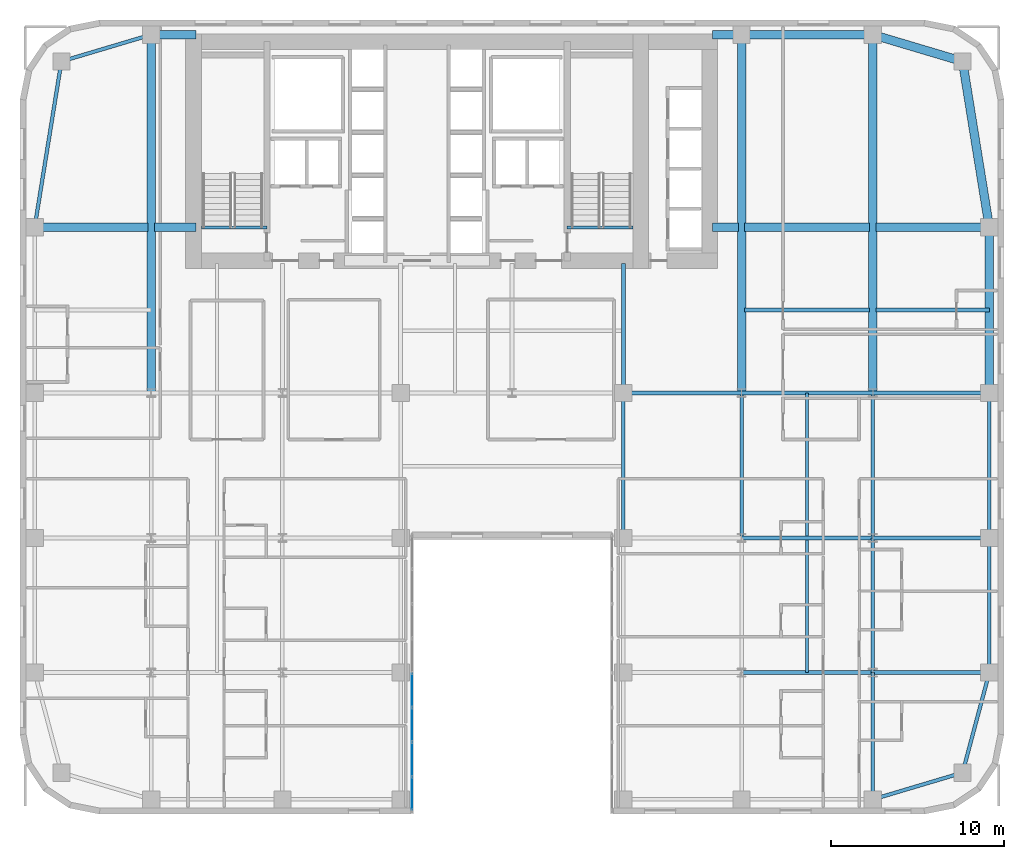
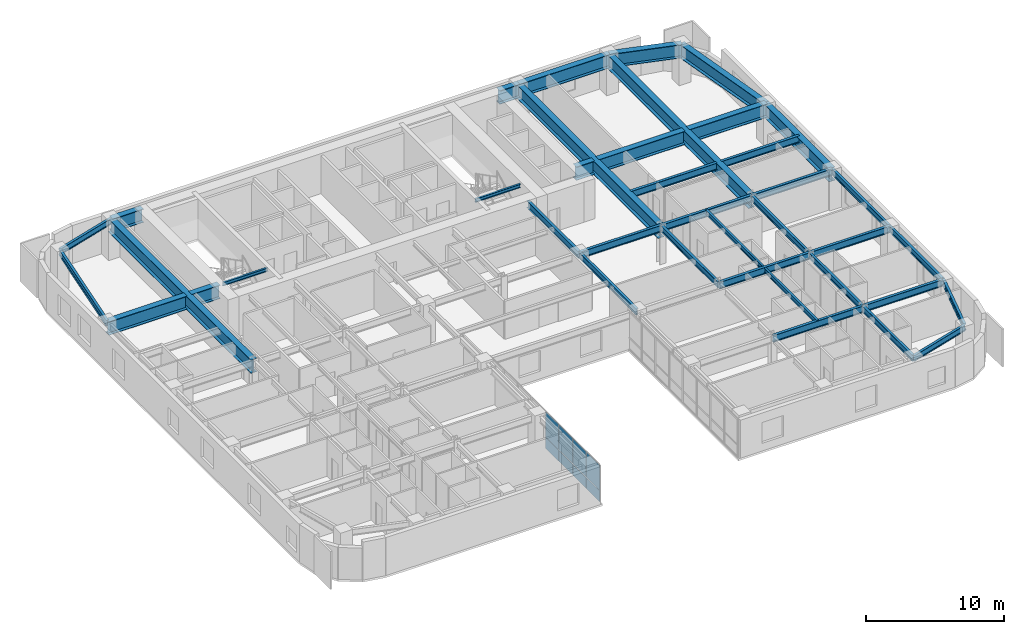
# One storey, part 8 of 17: 39 beams, 8 plates, 1 element without a shape of its own.
"""IFC4 building model written with IfcOpenShell, lengths in metres."""

from ifc_helpers import new_model, si_unit, direction, frame, origin, origin_2d, place, context, subcontext, project, spatial, rectangle, i_section, extrude, source, transform, mapped, material, layer, layer_set, material_profile, profile_set, type_object, type_shapes, element, aggregate, save


model = new_model("IFC4")

# Units and contexts
model_context = context("Model", 3, precision=1e-05, world=origin(), true_north=direction((0.0, 1.0)))
body_context = subcontext(model_context, "Body", "Model", "MODEL_VIEW")
ifc_project = project(units=[si_unit("LENGTHUNIT", "METRE"), si_unit("AREAUNIT", "SQUARE_METRE"), si_unit("VOLUMEUNIT", "CUBIC_METRE"), si_unit("PLANEANGLEUNIT", "RADIAN"), si_unit("MASSUNIT", "GRAM", prefix="KILO")], contexts=[model_context])

# Site, building, storey
site_placement = place(None, origin())
site = spatial("IfcSite", under=ifc_project, at=site_placement, CompositionType="ELEMENT")
building_placement = place(site_placement, origin())
building = spatial("IfcBuilding", under=site, at=building_placement, Name="Tolvann Quenvar Hotel", CompositionType="ELEMENT")
storey_placement = place(building_placement, frame((0.0, 0.0, 49.75)))
storey = spatial("IfcBuildingStorey", under=building, at=storey_placement, Name="L11", CompositionType="ELEMENT", Elevation=49.75)

# Beams
ifc_material_1 = material(Name="Steel Grade 350", Category="steel")
ifc_material_profile_1 = material_profile(ifc_material_1, i_section(OverallWidth=0.5, OverallDepth=1.199951171875, WebThickness=0.01611328125, FlangeThickness=0.0400390625, at=origin_2d()), Name="1200WB455")
ifc_profile_set_1 = profile_set([ifc_material_profile_1], Name="Steel Grade 350")
beam_type_1 = type_object("IfcBeamType", Name="BM_TG_1200WB455", PredefinedType="USERDEFINED", material=ifc_profile_set_1)
shared_shape_1 = source(origin(), body_context, "Body", "SweptSolid", [
    extrude(i_section(OverallWidth=0.5, OverallDepth=1.199951171875, WebThickness=0.01611328125, FlangeThickness=0.0400390625, at=origin_2d()), origin(), (0.0, 0.0, 1.0), 7.599853515625),
])
beam_1_placement = place(storey_placement, frame((49.39990234375, 45.14990234375, 2.77001953125), z_axis=(-1.0, 0.0, 0.0), x_axis=(0.0, -1.0, 0.0)))
element("IfcBeam", 1, at=beam_1_placement, inside=storey, type_object=beam_type_1, Name="BM-L11-FLK-E4", ObjectType="TRANSFER GIRDER", PredefinedType="USERDEFINED", context=body_context, shape_type="MappedRepresentation", body=[
    mapped(shared_shape_1, transform((0.0, 0.0, 0.0), x_axis=(1.0, 0.0, 0.0), y_axis=(0.0, 1.0, 0.0), z_axis=(0.0, 0.0, 1.0), scale=1.0)),
])
shared_shape_2 = source(origin(), body_context, "Body", "SweptSolid", [
    extrude(i_section(OverallWidth=0.5, OverallDepth=1.199951171875, WebThickness=0.01611328125, FlangeThickness=0.0400390625, at=origin_2d()), origin(), (0.0, 0.0, 1.0), 9.60009765625),
])
beam_2_placement = place(storey_placement, frame((56.14990234375, 24.39990234375, 2.77001953125), z_axis=(0.0, 1.0, 0.0), x_axis=(-1.0, 0.0, 0.0)))
element("IfcBeam", 2, at=beam_2_placement, inside=storey, type_object=beam_type_1, Name="BM-L11-FLK-E1", ObjectType="TRANSFER GIRDER", PredefinedType="USERDEFINED", context=body_context, shape_type="MappedRepresentation", body=[
    mapped(shared_shape_2, transform((0.0, 0.0, 0.0), x_axis=(1.0, 0.0, 0.0), y_axis=(0.0, 1.0, 0.0), z_axis=(0.0, 0.0, 1.0), scale=1.0)),
])
ifc_material_profile_2 = material_profile(ifc_material_1, i_section(OverallWidth=0.208984375, OverallDepth=0.528076171875, WebThickness=0.009521484375, FlangeThickness=0.01318359375, FilletRadius=0.013916015625, at=origin_2d()), Name="530UB82")
ifc_profile_set_2 = profile_set([ifc_material_profile_2], Name="Steel Grade 350")
beam_type_2 = type_object("IfcBeamType", Name="BM_SPAND_530UB82", PredefinedType="SPANDREL", material=ifc_profile_set_2)
shared_shape_3 = source(origin(), body_context, "Body", "SweptSolid", [
    extrude(i_section(OverallWidth=0.208984375, OverallDepth=0.528076171875, WebThickness=0.009521484375, FlangeThickness=0.01318359375, FilletRadius=0.013916015625, at=origin_2d()), origin(), (0.0, 0.0, 1.0), 5.42626953125),
])
for number, where, z_axis, x_axis, name in (
    (3, (49.39990234375, 0.85009765625, 3.10595703125), (0.958344815522, 0.285613750654, 0.0), (-0.285613750654, 0.958344815522, 0.0), "BM-L11-EW-2-I2-J2"),
    (4, (2.39990234375, 43.60009765625, 3.10595703125), (0.958344815522, 0.285613750654, 0.0), (-0.285613750654, 0.958344815522, 0.0), "BM-L11-FLK-W3"),
):
    element("IfcBeam", number, at=place(storey_placement, frame(where, z_axis=z_axis, x_axis=x_axis)), inside=storey, type_object=beam_type_2, Name=name, PredefinedType="SPANDREL", context=body_context, shape_type="MappedRepresentation", body=[
        mapped(shared_shape_3, transform((0.0, 0.0, 0.0), x_axis=(1.0, 0.0, 0.0), y_axis=(0.0, 1.0, 0.0), z_axis=(0.0, 0.0, 1.0), scale=1.0)),
    ])
ifc_material_profile_3 = material_profile(ifc_material_1, i_section(OverallWidth=0.22900390625, OverallDepth=0.612060546875, WebThickness=0.011962890625, FlangeThickness=0.01953125, FilletRadius=0.013916015625, at=origin_2d()), Name="610UB125")
ifc_profile_set_3 = profile_set([ifc_material_profile_3], Name="Steel Grade 350")
beam_type_3 = type_object("IfcBeamType", Name="BM_GIRD_610UB125", PredefinedType="BEAM", material=ifc_profile_set_3)
shared_shape_4 = source(origin(), body_context, "Body", "SweptSolid", [
    extrude(i_section(OverallWidth=0.22900390625, OverallDepth=0.612060546875, WebThickness=0.011962890625, FlangeThickness=0.01953125, FilletRadius=0.013916015625, at=origin_2d()), origin(), (0.0, 0.0, 1.0), 6.75),
])
for number, where, z_axis, x_axis, name in (
    (5, (49.39990234375, 8.199951171875, 3.06396484375), (1.0, 0.0, 0.0), (0.0, 1.0, 0.0), "BM-L11-EW-3-I3-J3"),
    (6, (49.39990234375, 16.0, 3.06396484375), (1.0, 0.0, 0.0), (0.0, 1.0, 0.0), "BM-L11-EW-4-I4-J4"),
    (7, (49.39990234375, 24.39990234375, 3.06396484375), (1.0, 0.0, 0.0), (0.0, 1.0, 0.0), "BM-L11-EW-5-I5-J5"),
):
    element("IfcBeam", number, at=place(storey_placement, frame(where, z_axis=z_axis, x_axis=x_axis)), inside=storey, type_object=beam_type_3, Name=name, PredefinedType="BEAM", context=body_context, shape_type="MappedRepresentation", body=[
        mapped(shared_shape_4, transform((0.0, 0.0, 0.0), x_axis=(1.0, 0.0, 0.0), y_axis=(0.0, 1.0, 0.0), z_axis=(0.0, 0.0, 1.0), scale=1.0)),
    ])
shared_shape_5 = source(origin(), body_context, "Body", "SweptSolid", [
    extrude(i_section(OverallWidth=0.22900390625, OverallDepth=0.612060546875, WebThickness=0.011962890625, FlangeThickness=0.01953125, FilletRadius=0.013916015625, at=origin_2d()), origin(), (0.0, 0.0, 1.0), 7.599853515625),
])
for number, where, z_axis, x_axis, name in (
    (8, (41.800048828125, 8.199951171875, 3.06396484375), (1.0, 0.0, 0.0), (0.0, 1.0, 0.0), "BM-L11-EW-3-H3-I3"),
    (9, (41.800048828125, 16.0, 3.06396484375), (1.0, 0.0, 0.0), (0.0, 1.0, 0.0), "BM-L11-EW-4-H4-I4"),
    (10, (41.800048828125, 24.39990234375, 3.06396484375), (1.0, 0.0, 0.0), (0.0, 1.0, 0.0), "BM-L11-EW-5-H5-I5"),
):
    element("IfcBeam", number, at=place(storey_placement, frame(where, z_axis=z_axis, x_axis=x_axis)), inside=storey, type_object=beam_type_3, Name=name, PredefinedType="BEAM", context=body_context, shape_type="MappedRepresentation", body=[
        mapped(shared_shape_5, transform((0.0, 0.0, 0.0), x_axis=(1.0, 0.0, 0.0), y_axis=(0.0, 1.0, 0.0), z_axis=(0.0, 0.0, 1.0), scale=1.0)),
    ])
shared_shape_6 = source(origin(), body_context, "Body", "SweptSolid", [
    extrude(i_section(OverallWidth=0.22900390625, OverallDepth=0.612060546875, WebThickness=0.011962890625, FlangeThickness=0.01953125, FilletRadius=0.013916015625, at=origin_2d()), origin(), (0.0, 0.0, 1.0), 6.85009765625),
])
beam_3_placement = place(storey_placement, frame((34.949951171875, 24.39990234375, 3.06396484375), z_axis=(1.0, 0.0, 0.0), x_axis=(0.0, 1.0, 0.0)))
element("IfcBeam", 11, at=beam_3_placement, inside=storey, type_object=beam_type_3, Name="BM-L11-EW-5-F5-H5", PredefinedType="BEAM", context=body_context, shape_type="MappedRepresentation", body=[
    mapped(shared_shape_6, transform((0.0, 0.0, 0.0), x_axis=(1.0, 0.0, 0.0), y_axis=(0.0, 1.0, 0.0), z_axis=(0.0, 0.0, 1.0), scale=1.0)),
])
shared_shape_7 = source(origin(), body_context, "Body", "SweptSolid", [
    extrude(i_section(OverallWidth=0.208984375, OverallDepth=0.528076171875, WebThickness=0.009521484375, FlangeThickness=0.01318359375, FilletRadius=0.013916015625, at=origin_2d()), origin(), (0.0, 0.0, 1.0), 6.00341796875),
])
beam_4_placement = place(storey_placement, frame((54.60009765625, 2.39990234375, 3.10595703125), z_axis=(0.258148586649, 0.966105225745, 0.0), x_axis=(-0.966105225745, 0.258148586649, 0.0)))
element("IfcBeam", 12, at=beam_4_placement, inside=storey, type_object=beam_type_2, Name="BM-L11-NS-J2-J3", PredefinedType="SPANDREL", context=body_context, shape_type="MappedRepresentation", body=[
    mapped(shared_shape_7, transform((0.0, 0.0, 0.0), x_axis=(1.0, 0.0, 0.0), y_axis=(0.0, 1.0, 0.0), z_axis=(0.0, 0.0, 1.0), scale=1.0)),
])
shared_shape_8 = source(origin(), body_context, "Body", "SweptSolid", [
    extrude(i_section(OverallWidth=0.208984375, OverallDepth=0.528076171875, WebThickness=0.009521484375, FlangeThickness=0.01318359375, FilletRadius=0.013916015625, at=origin_2d()), origin(), (0.0, 0.0, 1.0), 7.800048828125),
])
beam_5_placement = place(storey_placement, frame((56.14990234375, 8.199951171875, 3.10595703125), z_axis=(0.0, 1.0, 0.0), x_axis=(-1.0, 0.0, 0.0)))
element("IfcBeam", 13, at=beam_5_placement, inside=storey, type_object=beam_type_2, Name="BM-L11-NS-J3-J4", PredefinedType="SPANDREL", context=body_context, shape_type="MappedRepresentation", body=[
    mapped(shared_shape_8, transform((0.0, 0.0, 0.0), x_axis=(1.0, 0.0, 0.0), y_axis=(0.0, 1.0, 0.0), z_axis=(0.0, 0.0, 1.0), scale=1.0)),
])
shared_shape_9 = source(origin(), body_context, "Body", "SweptSolid", [
    extrude(i_section(OverallWidth=0.208984375, OverallDepth=0.528076171875, WebThickness=0.009521484375, FlangeThickness=0.01318359375, FilletRadius=0.013916015625, at=origin_2d()), origin(), (0.0, 0.0, 1.0), 8.39990234375),
])
beam_6_placement = place(storey_placement, frame((56.14990234375, 16.0, 3.10595703125), z_axis=(0.0, 1.0, 0.0), x_axis=(-1.0, 0.0, 0.0)))
element("IfcBeam", 14, at=beam_6_placement, inside=storey, type_object=beam_type_2, Name="BM-L11-NS-J4-J5", PredefinedType="SPANDREL", context=body_context, shape_type="MappedRepresentation", body=[
    mapped(shared_shape_9, transform((0.0, 0.0, 0.0), x_axis=(1.0, 0.0, 0.0), y_axis=(0.0, 1.0, 0.0), z_axis=(0.0, 0.0, 1.0), scale=1.0)),
])
ifc_material_profile_4 = material_profile(ifc_material_1, i_section(OverallWidth=0.208984375, OverallDepth=0.532958984375, WebThickness=0.01025390625, FlangeThickness=0.015625, FilletRadius=0.013916015625, at=origin_2d()), Name="530UB92")
ifc_profile_set_4 = profile_set([ifc_material_profile_4], Name="Steel Grade 350")
beam_type_4 = type_object("IfcBeamType", Name="BM_GIRD_530UB92", PredefinedType="BEAM", material=ifc_profile_set_4)
shared_shape_10 = source(origin(), body_context, "Body", "SweptSolid", [
    extrude(i_section(OverallWidth=0.208984375, OverallDepth=0.532958984375, WebThickness=0.01025390625, FlangeThickness=0.015625, FilletRadius=0.013916015625, at=origin_2d()), origin(), (0.0, 0.0, 1.0), 7.349853515625),
])
beam_7_placement = place(storey_placement, frame((49.39990234375, 0.85009765625, 3.103515625), z_axis=(0.0, 1.0, 0.0), x_axis=(-1.0, 0.0, 0.0)))
element("IfcBeam", 15, at=beam_7_placement, inside=storey, type_object=beam_type_4, Name="BM-L11-NS-I2-I3", PredefinedType="BEAM", context=body_context, shape_type="MappedRepresentation", body=[
    mapped(shared_shape_10, transform((0.0, 0.0, 0.0), x_axis=(1.0, 0.0, 0.0), y_axis=(0.0, 1.0, 0.0), z_axis=(0.0, 0.0, 1.0), scale=1.0)),
])
shared_shape_11 = source(origin(), body_context, "Body", "SweptSolid", [
    extrude(i_section(OverallWidth=0.208984375, OverallDepth=0.532958984375, WebThickness=0.01025390625, FlangeThickness=0.015625, FilletRadius=0.013916015625, at=origin_2d()), origin(), (0.0, 0.0, 1.0), 7.800048828125),
])
beam_8_placement = place(storey_placement, frame((49.39990234375, 8.199951171875, 3.103515625), z_axis=(0.0, 1.0, 0.0), x_axis=(-1.0, 0.0, 0.0)))
element("IfcBeam", 16, at=beam_8_placement, inside=storey, type_object=beam_type_4, Name="BM-L11-NS-I3-I4", PredefinedType="BEAM", context=body_context, shape_type="MappedRepresentation", body=[
    mapped(shared_shape_11, transform((0.0, 0.0, 0.0), x_axis=(1.0, 0.0, 0.0), y_axis=(0.0, 1.0, 0.0), z_axis=(0.0, 0.0, 1.0), scale=1.0)),
])
shared_shape_12 = source(origin(), body_context, "Body", "SweptSolid", [
    extrude(i_section(OverallWidth=0.208984375, OverallDepth=0.532958984375, WebThickness=0.01025390625, FlangeThickness=0.015625, FilletRadius=0.013916015625, at=origin_2d()), origin(), (0.0, 0.0, 1.0), 8.39990234375),
])
type_shapes(beam_type_4, [shared_shape_10, shared_shape_11, shared_shape_12])
for number, where, z_axis, x_axis, name in (
    (17, (34.949951171875, 16.0, 3.103515625), (0.0, 1.0, 0.0), (-1.0, 0.0, 0.0), "BM-L11-NS-F4-F5"),
    (18, (41.800048828125, 16.0, 3.103515625), (0.0, 1.0, 0.0), (-1.0, 0.0, 0.0), "BM-L11-NS-H4-H5"),
    (19, (49.39990234375, 16.0, 3.103515625), (0.0, 1.0, 0.0), (-1.0, 0.0, 0.0), "BM-L11-NS-I4-I5"),
):
    element("IfcBeam", number, at=place(storey_placement, frame(where, z_axis=z_axis, x_axis=x_axis)), inside=storey, type_object=beam_type_4, Name=name, PredefinedType="BEAM", context=body_context, shape_type="MappedRepresentation", body=[
        mapped(shared_shape_12, transform((0.0, 0.0, 0.0), x_axis=(1.0, 0.0, 0.0), y_axis=(0.0, 1.0, 0.0), z_axis=(0.0, 0.0, 1.0), scale=1.0)),
    ])
shared_shape_13 = source(origin(), body_context, "Body", "SweptSolid", [
    extrude(i_section(OverallWidth=0.22900390625, OverallDepth=0.612060546875, WebThickness=0.011962890625, FlangeThickness=0.01953125, FilletRadius=0.013916015625, at=origin_2d()), origin(), (0.0, 0.0, 1.0), 7.5),
])
beam_9_placement = place(storey_placement, frame((34.949951171875, 24.39990234375, 3.06396484375), z_axis=(0.0, 1.0, 0.0), x_axis=(-1.0, 0.0, 0.0)))
element("IfcBeam", 20, at=beam_9_placement, inside=storey, type_object=beam_type_3, Name="BM-L11-CORE-F5", PredefinedType="BEAM", context=body_context, shape_type="MappedRepresentation", body=[
    mapped(shared_shape_13, transform((0.0, 0.0, 0.0), x_axis=(1.0, 0.0, 0.0), y_axis=(0.0, 1.0, 0.0), z_axis=(0.0, 0.0, 1.0), scale=1.0)),
])
shared_shape_14 = source(origin(), body_context, "Body", "SweptSolid", [
    extrude(i_section(OverallWidth=0.208984375, OverallDepth=0.528076171875, WebThickness=0.009521484375, FlangeThickness=0.01318359375, FilletRadius=0.013916015625, at=origin_2d()), origin(), (0.0, 0.0, 1.0), 9.724365234375),
])
type_shapes(beam_type_2, [shared_shape_3, shared_shape_7, shared_shape_8, shared_shape_9, shared_shape_14])
beam_10_placement = place(storey_placement, frame((0.85009765625, 34.0, 3.10595703125), z_axis=(0.159372939192, 0.987218449105, 0.0), x_axis=(-0.987218449105, 0.159372939192, 0.0)))
element("IfcBeam", 21, at=beam_10_placement, inside=storey, type_object=beam_type_2, Name="BM-L11-FLK-W2", PredefinedType="SPANDREL", context=body_context, shape_type="MappedRepresentation", body=[
    mapped(shared_shape_14, transform((0.0, 0.0, 0.0), x_axis=(1.0, 0.0, 0.0), y_axis=(0.0, 1.0, 0.0), z_axis=(0.0, 0.0, 1.0), scale=1.0)),
])
shared_shape_15 = source(origin(), body_context, "Body", "SweptSolid", [
    extrude(i_section(OverallWidth=0.5, OverallDepth=1.199951171875, WebThickness=0.01611328125, FlangeThickness=0.0400390625, at=origin_2d()), origin(), (0.0, 0.0, 1.0), 20.75),
])
for number, where, z_axis, x_axis, name in (
    (22, (7.60009765625, 24.39990234375, 2.77001953125), (0.0, 1.0, 0.0), (-1.0, 0.0, 0.0), "BM-L11-FLK-WC"),
    (23, (41.800048828125, 24.39990234375, 2.77001953125), (0.0, 1.0, 0.0), (-1.0, 0.0, 0.0), "BM-L11-FLK-EH"),
    (24, (49.39990234375, 24.39990234375, 2.77001953125), (0.0, 1.0, 0.0), (-1.0, 0.0, 0.0), "BM-L11-FLK-EI"),
):
    element("IfcBeam", number, at=place(storey_placement, frame(where, z_axis=z_axis, x_axis=x_axis)), inside=storey, type_object=beam_type_1, Name=name, ObjectType="TRANSFER GIRDER", PredefinedType="USERDEFINED", context=body_context, shape_type="MappedRepresentation", body=[
        mapped(shared_shape_15, transform((0.0, 0.0, 0.0), x_axis=(1.0, 0.0, 0.0), y_axis=(0.0, 1.0, 0.0), z_axis=(0.0, 0.0, 1.0), scale=1.0)),
    ])
shared_shape_16 = source(origin(), body_context, "Body", "SweptSolid", [
    extrude(i_section(OverallWidth=0.5, OverallDepth=1.199951171875, WebThickness=0.01611328125, FlangeThickness=0.0400390625, at=origin_2d()), origin(), (0.0, 0.0, 1.0), 6.56982421875),
])
for number, where, z_axis, x_axis, name in (
    (25, (0.85009765625, 34.0, 2.77001953125), (1.0, 0.0, 0.0), (0.0, 1.0, 0.0), "BM-L11-CTW-MID1"),
    (26, (49.580078125, 34.0, 2.77001953125), (1.0, 0.0, 0.0), (0.0, 1.0, 0.0), "BM-L11-CTE-JD6C"),
):
    element("IfcBeam", number, at=place(storey_placement, frame(where, z_axis=z_axis, x_axis=x_axis)), inside=storey, type_object=beam_type_1, Name=name, ObjectType="TRANSFER GIRDER", PredefinedType="USERDEFINED", context=body_context, shape_type="MappedRepresentation", body=[
        mapped(shared_shape_16, transform((0.0, 0.0, 0.0), x_axis=(1.0, 0.0, 0.0), y_axis=(0.0, 1.0, 0.0), z_axis=(0.0, 0.0, 1.0), scale=1.0)),
    ])
shared_shape_17 = source(origin(), body_context, "Body", "SweptSolid", [
    extrude(i_section(OverallWidth=0.5, OverallDepth=1.199951171875, WebThickness=0.01611328125, FlangeThickness=0.0400390625, at=origin_2d()), origin(), (0.0, 0.0, 1.0), 2.419921875),
])
beam_11_placement = place(storey_placement, frame((7.780029296875, 34.0, 2.77001953125), z_axis=(1.0, 0.0, 0.0), x_axis=(0.0, 1.0, 0.0)))
element("IfcBeam", 27, at=beam_11_placement, inside=storey, type_object=beam_type_1, Name="BM-L11-CTW-MID2", ObjectType="TRANSFER GIRDER", PredefinedType="USERDEFINED", context=body_context, shape_type="MappedRepresentation", body=[
    mapped(shared_shape_17, transform((0.0, 0.0, 0.0), x_axis=(1.0, 0.0, 0.0), y_axis=(0.0, 1.0, 0.0), z_axis=(0.0, 0.0, 1.0), scale=1.0)),
])
shared_shape_18 = source(origin(), body_context, "Body", "SweptSolid", [
    extrude(i_section(OverallWidth=0.5, OverallDepth=1.199951171875, WebThickness=0.01611328125, FlangeThickness=0.0400390625, at=origin_2d()), origin(), (0.0, 0.0, 1.0), 2.599853515625),
])
beam_12_placement = place(storey_placement, frame((7.60009765625, 45.14990234375, 2.77001953125), z_axis=(1.0, 0.0, 0.0), x_axis=(0.0, 1.0, 0.0)))
element("IfcBeam", 28, at=beam_12_placement, inside=storey, type_object=beam_type_1, Name="BM-L11-CTW-CN", ObjectType="TRANSFER GIRDER", PredefinedType="USERDEFINED", context=body_context, shape_type="MappedRepresentation", body=[
    mapped(shared_shape_18, transform((0.0, 0.0, 0.0), x_axis=(1.0, 0.0, 0.0), y_axis=(0.0, 1.0, 0.0), z_axis=(0.0, 0.0, 1.0), scale=1.0)),
])
shared_shape_19 = source(origin(), body_context, "Body", "SweptSolid", [
    extrude(i_section(OverallWidth=0.5, OverallDepth=1.199951171875, WebThickness=0.01611328125, FlangeThickness=0.0400390625, at=origin_2d()), origin(), (0.0, 0.0, 1.0), 9.724365234375),
])
beam_13_placement = place(storey_placement, frame((56.14990234375, 34.0, 2.77001953125), z_axis=(-0.159372939192, 0.987218449105, 0.0), x_axis=(-0.987218449105, -0.159372939192, 0.0)))
element("IfcBeam", 29, at=beam_13_placement, inside=storey, type_object=beam_type_1, Name="BM-L11-FLK-E2", ObjectType="TRANSFER GIRDER", PredefinedType="USERDEFINED", context=body_context, shape_type="MappedRepresentation", body=[
    mapped(shared_shape_19, transform((0.0, 0.0, 0.0), x_axis=(1.0, 0.0, 0.0), y_axis=(0.0, 1.0, 0.0), z_axis=(0.0, 0.0, 1.0), scale=1.0)),
])
shared_shape_20 = source(origin(), body_context, "Body", "SweptSolid", [
    extrude(i_section(OverallWidth=0.5, OverallDepth=1.199951171875, WebThickness=0.01611328125, FlangeThickness=0.0400390625, at=origin_2d()), origin(), (0.0, 0.0, 1.0), 5.42626953125),
])
beam_14_placement = place(storey_placement, frame((54.60009765625, 43.60009765625, 2.77001953125), z_axis=(-0.958344815522, 0.285613750654, 0.0), x_axis=(-0.285613750654, -0.958344815522, 0.0)))
element("IfcBeam", 30, at=beam_14_placement, inside=storey, type_object=beam_type_1, Name="BM-L11-FLK-E3", ObjectType="TRANSFER GIRDER", PredefinedType="USERDEFINED", context=body_context, shape_type="MappedRepresentation", body=[
    mapped(shared_shape_20, transform((0.0, 0.0, 0.0), x_axis=(1.0, 0.0, 0.0), y_axis=(0.0, 1.0, 0.0), z_axis=(0.0, 0.0, 1.0), scale=1.0)),
])
shared_shape_21 = source(origin(), body_context, "Body", "SweptSolid", [
    extrude(i_section(OverallWidth=0.5, OverallDepth=1.199951171875, WebThickness=0.01611328125, FlangeThickness=0.0400390625, at=origin_2d()), origin(), (0.0, 0.0, 1.0), 1.699951171875),
])
beam_15_placement = place(storey_placement, frame((40.10009765625, 45.14990234375, 2.77001953125), z_axis=(1.0, 0.0, 0.0), x_axis=(0.0, 1.0, 0.0)))
element("IfcBeam", 31, at=beam_15_placement, inside=storey, type_object=beam_type_1, Name="BM-L11-CTE-HN", ObjectType="TRANSFER GIRDER", PredefinedType="USERDEFINED", context=body_context, shape_type="MappedRepresentation", body=[
    mapped(shared_shape_21, transform((0.0, 0.0, 0.0), x_axis=(1.0, 0.0, 0.0), y_axis=(0.0, 1.0, 0.0), z_axis=(0.0, 0.0, 1.0), scale=1.0)),
])
shared_shape_22 = source(origin(), body_context, "Body", "SweptSolid", [
    extrude(i_section(OverallWidth=0.5, OverallDepth=1.199951171875, WebThickness=0.01611328125, FlangeThickness=0.0400390625, at=origin_2d()), origin(), (0.0, 0.0, 1.0), 1.52001953125),
])
beam_16_placement = place(storey_placement, frame((40.10009765625, 34.0, 2.77001953125), z_axis=(1.0, 0.0, 0.0), x_axis=(0.0, 1.0, 0.0)))
element("IfcBeam", 32, at=beam_16_placement, inside=storey, type_object=beam_type_1, Name="BM-L11-CTE-JD6A", ObjectType="TRANSFER GIRDER", PredefinedType="USERDEFINED", context=body_context, shape_type="MappedRepresentation", body=[
    mapped(shared_shape_22, transform((0.0, 0.0, 0.0), x_axis=(1.0, 0.0, 0.0), y_axis=(0.0, 1.0, 0.0), z_axis=(0.0, 0.0, 1.0), scale=1.0)),
])
shared_shape_23 = source(origin(), body_context, "Body", "SweptSolid", [
    extrude(i_section(OverallWidth=0.5, OverallDepth=1.199951171875, WebThickness=0.01611328125, FlangeThickness=0.0400390625, at=origin_2d()), origin(), (0.0, 0.0, 1.0), 7.239990234375),
])
type_shapes(beam_type_1, [shared_shape_1, shared_shape_2, shared_shape_15, shared_shape_16, shared_shape_17, shared_shape_18, shared_shape_19, shared_shape_20, shared_shape_21, shared_shape_22, shared_shape_23])
beam_17_placement = place(storey_placement, frame((41.97998046875, 34.0, 2.77001953125), z_axis=(1.0, 0.0, 0.0), x_axis=(0.0, 1.0, 0.0)))
element("IfcBeam", 33, at=beam_17_placement, inside=storey, type_object=beam_type_1, Name="BM-L11-CTE-JD6B", ObjectType="TRANSFER GIRDER", PredefinedType="USERDEFINED", context=body_context, shape_type="MappedRepresentation", body=[
    mapped(shared_shape_23, transform((0.0, 0.0, 0.0), x_axis=(1.0, 0.0, 0.0), y_axis=(0.0, 1.0, 0.0), z_axis=(0.0, 0.0, 1.0), scale=1.0)),
])
shared_shape_24 = source(origin(), body_context, "Body", "SweptSolid", [
    extrude(i_section(OverallWidth=0.22900390625, OverallDepth=0.612060546875, WebThickness=0.011962890625, FlangeThickness=0.01953125, FilletRadius=0.013916015625, at=origin_2d()), origin(), (0.0, 0.0, 1.0), 7.239990234375),
])
beam_18_placement = place(storey_placement, frame((41.97998046875, 29.199951171875, 3.06396484375), z_axis=(1.0, 0.0, 0.0), x_axis=(0.0, 1.0, 0.0)))
element("IfcBeam", 34, at=beam_18_placement, inside=storey, type_object=beam_type_3, Name="BM-L11-EW-HI29", PredefinedType="BEAM", context=body_context, shape_type="MappedRepresentation", body=[
    mapped(shared_shape_24, transform((0.0, 0.0, 0.0), x_axis=(1.0, 0.0, 0.0), y_axis=(0.0, 1.0, 0.0), z_axis=(0.0, 0.0, 1.0), scale=1.0)),
])
shared_shape_25 = source(origin(), body_context, "Body", "SweptSolid", [
    extrude(i_section(OverallWidth=0.22900390625, OverallDepth=0.612060546875, WebThickness=0.011962890625, FlangeThickness=0.01953125, FilletRadius=0.013916015625, at=origin_2d()), origin(), (0.0, 0.0, 1.0), 6.56982421875),
])
type_shapes(beam_type_3, [shared_shape_4, shared_shape_5, shared_shape_6, shared_shape_13, shared_shape_24, shared_shape_25])
beam_19_placement = place(storey_placement, frame((49.580078125, 29.199951171875, 3.06396484375), z_axis=(1.0, 0.0, 0.0), x_axis=(0.0, 1.0, 0.0)))
element("IfcBeam", 35, at=beam_19_placement, inside=storey, type_object=beam_type_3, Name="BM-L11-EW-IJ29", PredefinedType="BEAM", context=body_context, shape_type="MappedRepresentation", body=[
    mapped(shared_shape_25, transform((0.0, 0.0, 0.0), x_axis=(1.0, 0.0, 0.0), y_axis=(0.0, 1.0, 0.0), z_axis=(0.0, 0.0, 1.0), scale=1.0)),
])
ifc_material_profile_5 = material_profile(ifc_material_1, i_section(OverallWidth=0.177978515625, OverallDepth=0.406005859375, WebThickness=0.0078125, FlangeThickness=0.0126953125, FilletRadius=0.011474609375, at=origin_2d()), Name="410UB60")
ifc_profile_set_5 = profile_set([ifc_material_profile_5], Name="Steel Grade 350")
beam_type_5 = type_object("IfcBeamType", Name="BM_JOIST_410UB60", PredefinedType="JOIST", material=ifc_profile_set_5)
shared_shape_26 = source(origin(), body_context, "Body", "SweptSolid", [
    extrude(i_section(OverallWidth=0.177978515625, OverallDepth=0.406005859375, WebThickness=0.0078125, FlangeThickness=0.0126953125, FilletRadius=0.011474609375, at=origin_2d()), origin(), (0.0, 0.0, 1.0), 7.691650390625),
])
beam_20_placement = place(storey_placement, frame((45.60009765625, 8.199951171875, 3.1669921875), z_axis=(0.0, 1.0, 0.0), x_axis=(-1.0, 0.0, 0.0)))
element("IfcBeam", 36, at=beam_20_placement, inside=storey, type_object=beam_type_5, Name="BJ-L11-456-82", PredefinedType="JOIST", context=body_context, shape_type="MappedRepresentation", body=[
    mapped(shared_shape_26, transform((0.0, 0.0, 0.0), x_axis=(1.0, 0.0, 0.0), y_axis=(0.0, 1.0, 0.0), z_axis=(0.0, 0.0, 1.0), scale=1.0)),
])
shared_shape_27 = source(origin(), body_context, "Body", "SweptSolid", [
    extrude(i_section(OverallWidth=0.177978515625, OverallDepth=0.406005859375, WebThickness=0.0078125, FlangeThickness=0.0126953125, FilletRadius=0.011474609375, at=origin_2d()), origin(), (0.0, 0.0, 1.0), 8.29150390625),
])
type_shapes(beam_type_5, [shared_shape_26, shared_shape_27])
beam_21_placement = place(storey_placement, frame((45.60009765625, 16.1083984375, 3.1669921875), z_axis=(0.0, 1.0, 0.0), x_axis=(-1.0, 0.0, 0.0)))
element("IfcBeam", 37, at=beam_21_placement, inside=storey, type_object=beam_type_5, Name="BJ-L11-456-160", PredefinedType="JOIST", context=body_context, shape_type="MappedRepresentation", body=[
    mapped(shared_shape_27, transform((0.0, 0.0, 0.0), x_axis=(1.0, 0.0, 0.0), y_axis=(0.0, 1.0, 0.0), z_axis=(0.0, 0.0, 1.0), scale=1.0)),
])
ifc_material_profile_6 = material_profile(ifc_material_1, i_section(OverallWidth=0.166015625, OverallDepth=0.306884765625, WebThickness=0.006591796875, FlangeThickness=0.01171875, FilletRadius=0.011474609375, at=origin_2d()), Name="310UB46")
ifc_profile_set_6 = profile_set([ifc_material_profile_6], Name="Steel Grade 350")
beam_type_6 = type_object("IfcBeamType", Name="BM_JOIST_310UB46", PredefinedType="JOIST", material=ifc_profile_set_6)
shared_shape_28 = source(origin(), body_context, "Body", "SweptSolid", [
    extrude(i_section(OverallWidth=0.166015625, OverallDepth=0.306884765625, WebThickness=0.006591796875, FlangeThickness=0.01171875, FilletRadius=0.011474609375, at=origin_2d()), origin(), (0.0, 0.0, 1.0), 3.800048828125),
])
type_shapes(beam_type_6, [shared_shape_28])
for number, where, z_axis, x_axis, name in (
    (38, (10.5, 33.97998046875, 3.216552734375), (1.0, 0.0, 0.0), (0.0, 1.0, 0.0), "BM-HDR-STC1-L12"),
    (39, (31.699951171875, 33.97998046875, 3.216552734375), (1.0, 0.0, 0.0), (0.0, 1.0, 0.0), "BM-HDR-STC2-L12"),
):
    element("IfcBeam", number, at=place(storey_placement, frame(where, z_axis=z_axis, x_axis=x_axis)), inside=storey, type_object=beam_type_6, Name=name, PredefinedType="JOIST", context=body_context, shape_type="MappedRepresentation", body=[
        mapped(shared_shape_28, transform((0.0, 0.0, 0.0), x_axis=(1.0, 0.0, 0.0), y_axis=(0.0, 1.0, 0.0), z_axis=(0.0, 0.0, 1.0), scale=1.0)),
    ])

# Curtain wall, plates
ifc_material_2 = material(Name="Thermally broken anodised architectural aluminium 6063-T6 and laminated low-E glass", Category="aluminium")
ifc_layer_1 = layer(ifc_material_2, 0.179931640625)
ifc_layer_set_1 = layer_set([ifc_layer_1], Name="Thermally broken anodised architectural aluminium 6063-T6 and laminated low-E glass")
curtain_wall_type = type_object("IfcCurtainWallType", Name="CW_SYS_SLOT_03", PredefinedType="USERDEFINED", material=ifc_layer_set_1)
curtain_wall_placement = place(storey_placement, origin())
curtain_wall = element("IfcCurtainWall", 40, at=curtain_wall_placement, inside=storey, type_object=curtain_wall_type, Name="Curtain Wall CW-SLOT-03 (CWR-L11-E05)", ObjectType="UNITISED CURTAIN WALL", PredefinedType="USERDEFINED")
ifc_material_3 = material(Name="Low-iron laminated double glazing with solar-control coating", Category="glass")
ifc_layer_2 = layer(ifc_material_3, 0.028076171875)
ifc_layer_set_2 = layer_set([ifc_layer_2], Name="Low-iron laminated double glazing with solar-control coating")
plate_type = type_object("IfcPlateType", Name="CW_PAN_VISION_28", PredefinedType="CURTAIN_PANEL", material=ifc_layer_set_2)
shared_shape_29 = source(origin(), body_context, "Body", "SweptSolid", [
    extrude(rectangle(XDim=1.89501953125, YDim=0.028076171875, at=origin_2d()), origin(), (0.0, 0.0, 1.0), 0.9599609375),
])
plate_1_placement = place(storey_placement, frame((22.7099609375, 1.1923828125, 0.06005859375), z_axis=(0.0, 0.0, 1.0), x_axis=(0.0, 1.0, 0.0)))
plate_1 = element("IfcPlate", 41, at=plate_1_placement, type_object=plate_type, Name="CW-SLOT-03 panel 1.1", PredefinedType="CURTAIN_PANEL", context=body_context, shape_type="MappedRepresentation", body=[
    mapped(shared_shape_29, transform((0.0, 0.0, 0.0), x_axis=(1.0, 0.0, 0.0), y_axis=(0.0, 1.0, 0.0), z_axis=(0.0, 0.0, 1.0), scale=1.0)),
])
shared_shape_30 = source(origin(), body_context, "Body", "SweptSolid", [
    extrude(rectangle(XDim=1.89501953125, YDim=0.028076171875, at=origin_2d()), origin(), (0.0, 0.0, 1.0), 2.22998046875),
])
plate_2_placement = place(storey_placement, frame((22.7099609375, 1.1923828125, 1.080078125), z_axis=(0.0, 0.0, 1.0), x_axis=(0.0, 1.0, 0.0)))
plate_2 = element("IfcPlate", 42, at=plate_2_placement, type_object=plate_type, Name="CW-SLOT-03 panel 1.2", PredefinedType="CURTAIN_PANEL", context=body_context, shape_type="MappedRepresentation", body=[
    mapped(shared_shape_30, transform((0.0, 0.0, 0.0), x_axis=(1.0, 0.0, 0.0), y_axis=(0.0, 1.0, 0.0), z_axis=(0.0, 0.0, 1.0), scale=1.0)),
])
shared_shape_31 = source(origin(), body_context, "Body", "SweptSolid", [
    extrude(rectangle(XDim=1.929931640625, YDim=0.028076171875, at=origin_2d()), origin(), (0.0, 0.0, 1.0), 0.9599609375),
])
plate_3_placement = place(storey_placement, frame((22.7099609375, 3.175048828125, 0.06005859375), z_axis=(0.0, 0.0, 1.0), x_axis=(0.0, 1.0, 0.0)))
plate_3 = element("IfcPlate", 43, at=plate_3_placement, type_object=plate_type, Name="CW-SLOT-03 panel 2.1", PredefinedType="CURTAIN_PANEL", context=body_context, shape_type="MappedRepresentation", body=[
    mapped(shared_shape_31, transform((0.0, 0.0, 0.0), x_axis=(1.0, 0.0, 0.0), y_axis=(0.0, 1.0, 0.0), z_axis=(0.0, 0.0, 1.0), scale=1.0)),
])
plate_4_placement = place(storey_placement, frame((22.7099609375, 5.175048828125, 0.06005859375), z_axis=(0.0, 0.0, 1.0), x_axis=(0.0, 1.0, 0.0)))
plate_4 = element("IfcPlate", 44, at=plate_4_placement, type_object=plate_type, Name="CW-SLOT-03 panel 3.1", PredefinedType="CURTAIN_PANEL", context=body_context, shape_type="MappedRepresentation", body=[
    mapped(shared_shape_31, transform((0.0, 0.0, 0.0), x_axis=(1.0, 0.0, 0.0), y_axis=(0.0, 1.0, 0.0), z_axis=(0.0, 0.0, 1.0), scale=1.0)),
])
plate_5_placement = place(storey_placement, frame((22.7099609375, 7.175048828125, 0.06005859375), z_axis=(0.0, 0.0, 1.0), x_axis=(0.0, 1.0, 0.0)))
plate_5 = element("IfcPlate", 45, at=plate_5_placement, type_object=plate_type, Name="CW-SLOT-03 panel 4.1", PredefinedType="CURTAIN_PANEL", context=body_context, shape_type="MappedRepresentation", body=[
    mapped(shared_shape_31, transform((0.0, 0.0, 0.0), x_axis=(1.0, 0.0, 0.0), y_axis=(0.0, 1.0, 0.0), z_axis=(0.0, 0.0, 1.0), scale=1.0)),
])
shared_shape_32 = source(origin(), body_context, "Body", "SweptSolid", [
    extrude(rectangle(XDim=1.929931640625, YDim=0.028076171875, at=origin_2d()), origin(), (0.0, 0.0, 1.0), 2.22998046875),
])
type_shapes(plate_type, [shared_shape_29, shared_shape_30, shared_shape_31, shared_shape_32])
plate_6_placement = place(storey_placement, frame((22.7099609375, 3.175048828125, 1.080078125), z_axis=(0.0, 0.0, 1.0), x_axis=(0.0, 1.0, 0.0)))
plate_6 = element("IfcPlate", 46, at=plate_6_placement, type_object=plate_type, Name="CW-SLOT-03 panel 2.2", PredefinedType="CURTAIN_PANEL", context=body_context, shape_type="MappedRepresentation", body=[
    mapped(shared_shape_32, transform((0.0, 0.0, 0.0), x_axis=(1.0, 0.0, 0.0), y_axis=(0.0, 1.0, 0.0), z_axis=(0.0, 0.0, 1.0), scale=1.0)),
])
plate_7_placement = place(storey_placement, frame((22.7099609375, 5.175048828125, 1.080078125), z_axis=(0.0, 0.0, 1.0), x_axis=(0.0, 1.0, 0.0)))
plate_7 = element("IfcPlate", 47, at=plate_7_placement, type_object=plate_type, Name="CW-SLOT-03 panel 3.2", PredefinedType="CURTAIN_PANEL", context=body_context, shape_type="MappedRepresentation", body=[
    mapped(shared_shape_32, transform((0.0, 0.0, 0.0), x_axis=(1.0, 0.0, 0.0), y_axis=(0.0, 1.0, 0.0), z_axis=(0.0, 0.0, 1.0), scale=1.0)),
])
plate_8_placement = place(storey_placement, frame((22.7099609375, 7.175048828125, 1.080078125), z_axis=(0.0, 0.0, 1.0), x_axis=(0.0, 1.0, 0.0)))
plate_8 = element("IfcPlate", 48, at=plate_8_placement, type_object=plate_type, Name="CW-SLOT-03 panel 4.2", PredefinedType="CURTAIN_PANEL", context=body_context, shape_type="MappedRepresentation", body=[
    mapped(shared_shape_32, transform((0.0, 0.0, 0.0), x_axis=(1.0, 0.0, 0.0), y_axis=(0.0, 1.0, 0.0), z_axis=(0.0, 0.0, 1.0), scale=1.0)),
])
aggregate(curtain_wall, [plate_1, plate_2, plate_3, plate_6, plate_4, plate_7, plate_5, plate_8])

save(model, "model.ifc")
